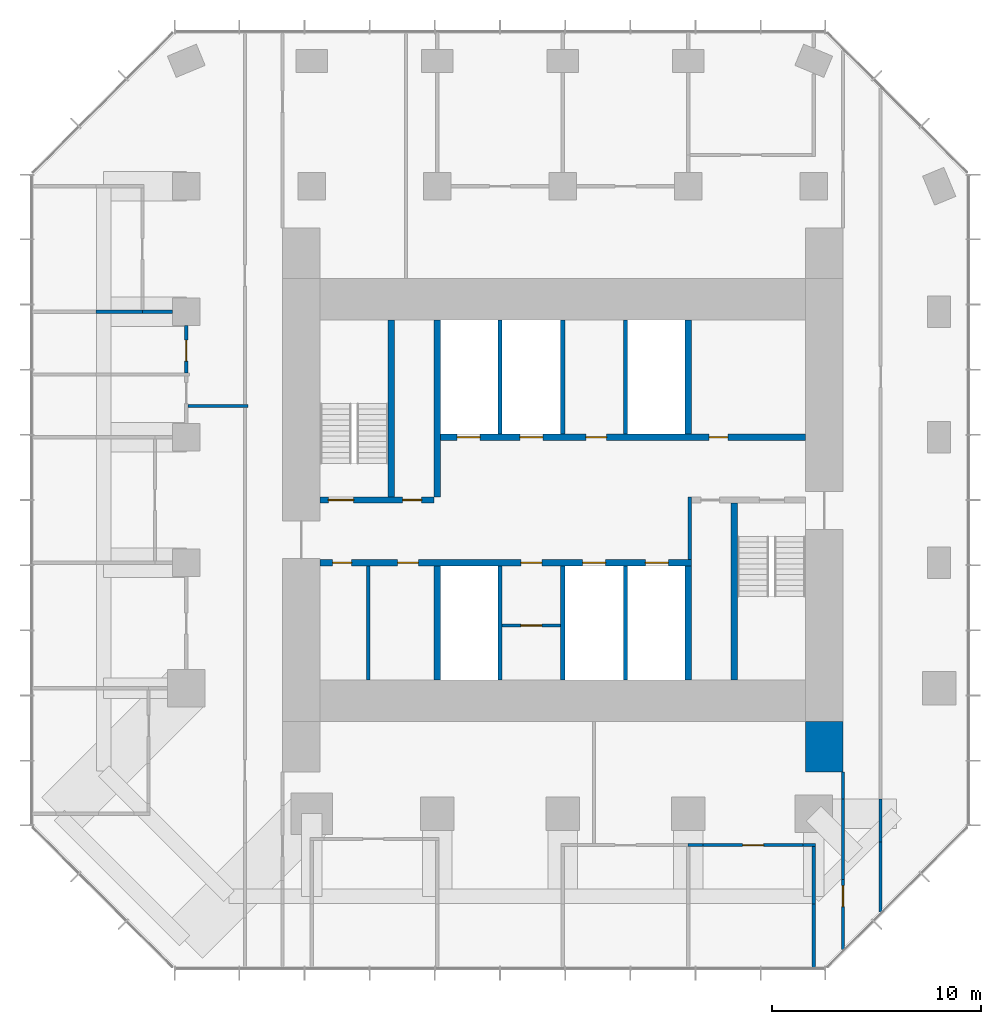
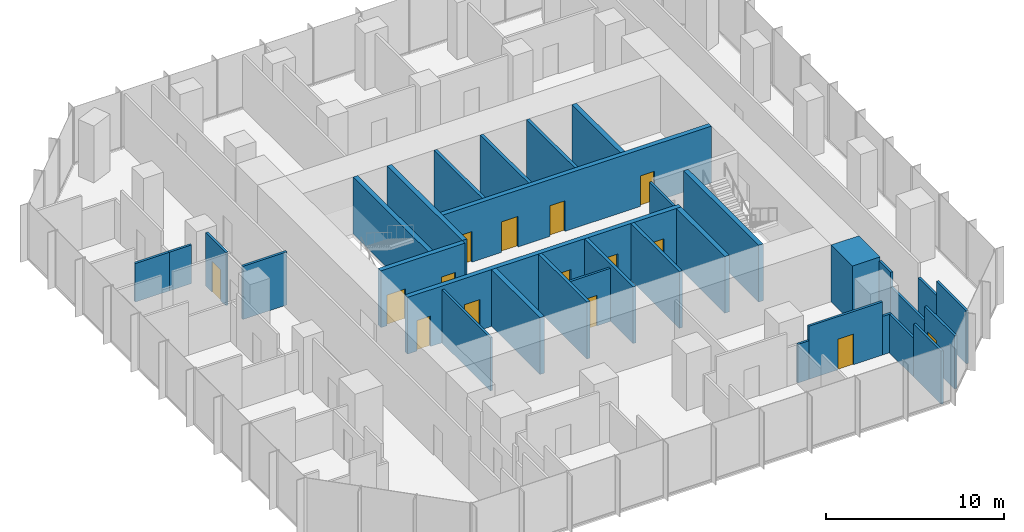
# One storey, part 9 of 11: 33 walls, 15 doors, 15 openings.
"""IFC4 building model written with IfcOpenShell, lengths in metres."""

import ifcopenshell
import ifcopenshell.guid

model = None  # the IFC model being written
_history = None  # IfcOwnerHistory: only IFC2X3 demands one
_inside = {}  # id of a spatial element -> (the spatial element, [elements in it])
_under = {}  # id of a project, library or spatial element -> (it, [spatial elements below it])
_declared = {}  # id of a project -> (the project, [libraries it declares])
_typed = {}  # id of a type object -> (the type object, [elements of that type])
_made_of = {}  # id of a material, layer set ... -> (it, [elements and type objects made of it])


def new_model(schema):
    """Start an empty IFC model of exactly this schema.

    Asked for "IFC4X3", IfcOpenShell would pick the latest addendum, in which some entities
    have other attributes; the version numbers below select the first issue.
    IFC2X3 requires an IfcOwnerHistory on every rooted entity: one is made here for all.
    """
    global model, _history
    if schema == "IFC4X3":
        model = ifcopenshell.file(schema_version=(4, 3, 0, 0))
    else:
        model = ifcopenshell.file(schema=schema)
    _inside.clear()
    _under.clear()
    _declared.clear()
    _typed.clear()
    _made_of.clear()
    _history = None
    if model.schema == "IFC2X3":
        org = make("IfcOrganization", Name="unknown")
        user = make(
            "IfcPersonAndOrganization",
            ThePerson=make("IfcPerson", FamilyName="unknown"),
            TheOrganization=org,
        )
        app = make(
            "IfcApplication",
            ApplicationDeveloper=org,
            Version="unknown",
            ApplicationFullName="unknown",
            ApplicationIdentifier="unknown",
        )
        _history = make(
            "IfcOwnerHistory",
            OwningUser=user,
            OwningApplication=app,
            ChangeAction="ADDED",
            CreationDate=0,
        )
    return model


def make(cls, **values):
    """One entity of the class cls with the attributes given. An attribute that is None is left unset."""
    return model.create_entity(
        cls, **{name: value for name, value in values.items() if value is not None}
    )


def rooted(cls, **values):
    """An entity with a GlobalId (a new one), such as an element, a storey or a relation."""
    return make(cls, GlobalId=ifcopenshell.guid.new(), OwnerHistory=_history, **values)


def si_unit(unit_type, name, prefix=None):
    """IfcSIUnit, for example si_unit("LENGTHUNIT", "METRE", prefix="MILLI")."""
    return make("IfcSIUnit", UnitType=unit_type, Prefix=prefix, Name=name)


def assignment(units):
    """IfcUnitAssignment: the units of a project."""
    return None if units is None else make("IfcUnitAssignment", Units=units)


def point(xyz):
    """IfcCartesianPoint."""
    return None if xyz is None else make("IfcCartesianPoint", Coordinates=xyz)


def direction(xyz):
    """IfcDirection."""
    return None if xyz is None else make("IfcDirection", DirectionRatios=xyz)


def frame(location, z_axis=None, x_axis=None):
    """IfcAxis2Placement3D, a coordinate frame: its origin and axes. An axis left out is left unset."""
    return make(
        "IfcAxis2Placement3D",
        Location=point(location),
        Axis=direction(z_axis),
        RefDirection=direction(x_axis),
    )


def frame_2d(location, x_axis=None):
    """IfcAxis2Placement2D, a coordinate frame in the plane: its origin and x axis."""
    return make(
        "IfcAxis2Placement2D", Location=point(location), RefDirection=direction(x_axis)
    )


def origin():
    """The frame at (0, 0, 0) with its axes left unset."""
    return frame((0.0, 0.0, 0.0))


def place(relative_to, where):
    """IfcLocalPlacement: puts the frame where relative to a parent placement (None: the world)."""
    return make(
        "IfcLocalPlacement", PlacementRelTo=relative_to, RelativePlacement=where
    )


def context(
    kind, dimensions, precision=None, world=None, true_north=None, identifier=None
):
    """IfcGeometricRepresentationContext, for example the 3D "Model" context."""
    return make(
        "IfcGeometricRepresentationContext",
        ContextIdentifier=identifier,
        ContextType=kind,
        CoordinateSpaceDimension=dimensions,
        Precision=precision,
        WorldCoordinateSystem=world,
        TrueNorth=true_north,
    )


def subcontext(parent, identifier, kind, view, scale=None):
    """IfcGeometricRepresentationSubContext, for example "Body" below "Model"."""
    return make(
        "IfcGeometricRepresentationSubContext",
        ContextIdentifier=identifier,
        ContextType=kind,
        ParentContext=parent,
        TargetScale=scale,
        TargetView=view,
    )


def project(units=None, contexts=None):
    """IfcProject with its units and contexts."""
    return rooted(
        "IfcProject",
        Name="project",
        RepresentationContexts=contexts,
        UnitsInContext=assignment(units),
    )


def spatial(cls, under=None, at=None, **own):
    """A site, building, storey or space (cls), placed at a placement, below another one or the project."""
    s = rooted(cls, ObjectPlacement=at, **own)
    if under is not None:
        _under.setdefault(under.id(), (under, []))[1].append(s)
    return s


def profile(cls, at=None, kind="AREA", **sizes):
    """A parametric profile (cls). Its sizes go by their IFC names, for example OverallWidth=200.0."""
    return make(cls, ProfileType=kind, Position=at, **sizes)


def rectangle(**sizes):
    """IfcRectangleProfileDef."""
    return profile("IfcRectangleProfileDef", **sizes)


def extrude(swept, where, along, depth):
    """IfcExtrudedAreaSolid: the profile swept, set in the frame where, extruded along a direction by depth."""
    return make(
        "IfcExtrudedAreaSolid",
        SweptArea=swept,
        Position=where,
        ExtrudedDirection=direction(along),
        Depth=depth,
    )


def shape(context_of_items, identifier, shape_type, items):
    """IfcShapeRepresentation: the items that make up one representation, for example the "Body"."""
    return make(
        "IfcShapeRepresentation",
        ContextOfItems=context_of_items,
        RepresentationIdentifier=identifier,
        RepresentationType=shape_type,
        Items=items,
    )


def material(Name=None, Category=None):
    """IfcMaterial."""
    return make("IfcMaterial", Name=Name, Category=Category)


def layer(
    of_material, thickness, ventilated=None, Name=None, Category=None, Priority=None
):
    """IfcMaterialLayer: one layer of a wall or slab, of a material (None: an air gap)."""
    return make(
        "IfcMaterialLayer",
        Material=of_material,
        LayerThickness=thickness,
        IsVentilated=ventilated,
        Name=Name,
        Category=Category,
        Priority=Priority,
    )


def layer_set(layers, Name=None):
    """IfcMaterialLayerSet."""
    return make("IfcMaterialLayerSet", MaterialLayers=layers, LayerSetName=Name)


def made_of(thing, what):
    """Note that an element or type object is made of a material, layer set ...; save() writes the relation."""
    if what is not None:
        _made_of.setdefault(what.id(), (what, []))[1].append(thing)
    return thing


def type_object(cls, material=None, **own):
    """A type object (cls), such as IfcWallType, which elements share."""
    return made_of(rooted(cls, **own), material)


def element(
    cls,
    number,
    at=None,
    inside=None,
    cuts=None,
    type_object=None,
    material=None,
    context=None,
    identifier="Body",
    shape_type=None,
    held_by="IfcProductDefinitionShape",
    body=None,
    shapes=None,
    **own,
):
    """One element of the class cls, such as IfcWall. Its Tag is "e" and its number.

    at: its placement. inside: the storey or other place that contains it. cuts: it is an
    opening in that element (IfcRelVoidsElement). A single representation is given by context,
    identifier, shape_type and body (its items); several are given by shapes. held_by: the class
    of the entity that holds the representations. save() writes the other relations.
    """
    e = rooted(cls, Tag="e%d" % number, ObjectPlacement=at, **own)
    if body is not None:
        shapes = [shape(context, identifier, shape_type, body)]
    if shapes is not None:
        e.Representation = make(held_by, Representations=shapes)
    if inside is not None:
        _inside.setdefault(inside.id(), (inside, []))[1].append(e)
    if cuts is not None:
        rooted(
            "IfcRelVoidsElement", RelatingBuildingElement=cuts, RelatedOpeningElement=e
        )
    if type_object is not None:
        _typed.setdefault(type_object.id(), (type_object, []))[1].append(e)
    return made_of(e, material)


def fill(opening, filler):
    """IfcRelFillsElement: the door or window that sits in an opening."""
    return rooted(
        "IfcRelFillsElement",
        RelatingOpeningElement=opening,
        RelatedBuildingElement=filler,
    )


def aggregate(whole, parts):
    """IfcRelAggregates: a whole, such as a stair, and the parts it consists of."""
    return rooted("IfcRelAggregates", RelatingObject=whole, RelatedObjects=parts)


def save(model, path):
    """Write the relations noted so far, then the file.

    IfcRelAggregates (storeys below a building ...), IfcRelContainedInSpatialStructure (elements
    in a storey), IfcRelDefinesByType, IfcRelAssociatesMaterial and IfcRelDeclares: one each for
    every whole, place, type object, material and project.
    """
    for whole, parts in _under.values():
        aggregate(whole, parts)
    for where, things in _inside.values():
        rooted(
            "IfcRelContainedInSpatialStructure",
            RelatedElements=things,
            RelatingStructure=where,
        )
    for kind, things in _typed.values():
        rooted("IfcRelDefinesByType", RelatedObjects=things, RelatingType=kind)
    for what, things in _made_of.values():
        rooted("IfcRelAssociatesMaterial", RelatedObjects=things, RelatingMaterial=what)
    for by, libraries in _declared.values():
        rooted("IfcRelDeclares", RelatingContext=by, RelatedDefinitions=libraries)
    model.write(path)


model = new_model("IFC4")

# Units and contexts
model_context = context("Model", 3, precision=1e-05, world=origin(), true_north=direction((0.0, 1.0)))
body_context = subcontext(model_context, "Body", "Model", "MODEL_VIEW")
ifc_project = project(units=[si_unit("LENGTHUNIT", "METRE"), si_unit("AREAUNIT", "SQUARE_METRE"), si_unit("VOLUMEUNIT", "CUBIC_METRE"), si_unit("PLANEANGLEUNIT", "RADIAN"), si_unit("MASSUNIT", "GRAM", prefix="KILO")], contexts=[model_context])

# Site, building, storey
site_placement = place(None, origin())
site = spatial("IfcSite", under=ifc_project, at=site_placement, CompositionType="ELEMENT")
building_placement = place(site_placement, origin())
building = spatial("IfcBuilding", under=site, at=building_placement, Name="Highveld Stack Headquarters", CompositionType="ELEMENT")
storey_placement = place(building_placement, frame((0.0, 0.0, 220.10009765625)))
storey = spatial("IfcBuildingStorey", under=building, at=storey_placement, Name="L54", CompositionType="ELEMENT", Elevation=220.10009765625)

# Wall, openings, doors
ifc_material_1 = material(Name="Concrete C60/75", Category="concrete")
ifc_layer_1 = layer(ifc_material_1, 0.300048828125)
ifc_layer_set_1 = layer_set([ifc_layer_1], Name="Concrete C60/75")
wall_type_1 = type_object("IfcWallType", Name="CORE WALL 300 C60/75", PredefinedType="SHEAR", material=ifc_layer_set_1)
wall_1_placement = place(storey_placement, frame((-5.60009765625, 0.0, 0.0), z_axis=(0.0, 0.0, 1.0), x_axis=(1.0, 0.0, 0.0)))
wall_1 = element("IfcWall", 1, at=wall_1_placement, inside=storey, type_object=wall_type_1, Name="Core wall I-Y0 L54", PredefinedType="SHEAR", context=body_context, shape_type="SweptSolid", body=[
    extrude(rectangle(XDim=17.75, YDim=0.300048828125, at=frame_2d((8.875, 0.0))), origin(), (0.0, 0.0, 1.0), 3.89990234375),
])
opening_1_placement = place(wall_1_placement, frame((0.60009765625, 0.0, 0.0)))
opening_1 = element("IfcOpeningElement", 2, at=opening_1_placement, cuts=wall_1, Name="Opening L54-07", PredefinedType="OPENING", context=body_context, shape_type="SweptSolid", body=[
    extrude(rectangle(XDim=0.89990234375, YDim=2.10009765625, at=frame_2d((0.449951171875, 1.050048828125))), frame((0.0, 0.159912109375, 0.0), z_axis=(0.0, -1.0, 0.0), x_axis=(1.0, 0.0, 0.0)), (0.0, 0.0, 1.0), 0.320068359375),
])
opening_2_placement = place(wall_1_placement, frame((3.699951171875, 0.0, 0.0)))
opening_2 = element("IfcOpeningElement", 3, at=opening_2_placement, cuts=wall_1, Name="Opening L54-08", PredefinedType="OPENING", context=body_context, shape_type="SweptSolid", body=[
    extrude(rectangle(XDim=1.0, YDim=2.10009765625, at=frame_2d((0.5, 1.050048828125))), frame((0.0, 0.159912109375, 0.0), z_axis=(0.0, -1.0, 0.0), x_axis=(1.0, 0.0, 0.0)), (0.0, 0.0, 1.0), 0.320068359375),
])
opening_3_placement = place(wall_1_placement, frame((9.60009765625, 0.0, 0.0)))
opening_3 = element("IfcOpeningElement", 4, at=opening_3_placement, cuts=wall_1, Name="Opening L54-12", PredefinedType="OPENING", context=body_context, shape_type="SweptSolid", body=[
    extrude(rectangle(XDim=1.0, YDim=2.10009765625, at=frame_2d((0.5, 1.050048828125))), frame((0.0, 0.159912109375, 0.0), z_axis=(0.0, -1.0, 0.0), x_axis=(1.0, 0.0, 0.0)), (0.0, 0.0, 1.0), 0.320068359375),
])
opening_4_placement = place(wall_1_placement, frame((12.550048828125, 0.0, 0.0)))
opening_4 = element("IfcOpeningElement", 5, at=opening_4_placement, cuts=wall_1, Name="Opening LD", PredefinedType="OPENING", context=body_context, shape_type="SweptSolid", body=[
    extrude(rectangle(XDim=1.10009765625, YDim=2.10009765625, at=frame_2d((0.550048828125, 1.050048828125))), frame((0.0, 0.159912109375, 0.0), z_axis=(0.0, -1.0, 0.0), x_axis=(1.0, 0.0, 0.0)), (0.0, 0.0, 1.0), 0.320068359375),
])
opening_5_placement = place(wall_1_placement, frame((15.550048828125, 0.0, 0.0)))
opening_5 = element("IfcOpeningElement", 6, at=opening_5_placement, cuts=wall_1, Name="Opening LD", PredefinedType="OPENING", context=body_context, shape_type="SweptSolid", body=[
    extrude(rectangle(XDim=1.10009765625, YDim=2.10009765625, at=frame_2d((0.550048828125, 1.050048828125))), frame((0.0, 0.159912109375, 0.0), z_axis=(0.0, -1.0, 0.0), x_axis=(1.0, 0.0, 0.0)), (0.0, 0.0, 1.0), 0.320068359375),
])
ifc_material_2 = material(Name="Timber door, painted", Category="wood")
door_type_1 = type_object("IfcDoorType", Name="ACCESSIBLE WC DOOR D2 1000x2100", OperationType="SINGLE_SWING_RIGHT", PredefinedType="DOOR", material=ifc_material_2)
door_1_placement = place(opening_2_placement, origin())
door_1 = element("IfcDoor", 7, at=door_1_placement, inside=storey, type_object=door_type_1, Name="Accessible WC door L54", OperationType="SINGLE_SWING_LEFT", OverallHeight=2.10009765625, OverallWidth=1.0, PredefinedType="DOOR", context=body_context, shape_type="SweptSolid", body=[
    extrude(rectangle(XDim=1.0, YDim=2.10009765625, at=frame_2d((0.5, 1.050048828125))), frame((0.0, 0.02490234375, 0.0), z_axis=(0.0, -1.0, 0.0), x_axis=(1.0, 0.0, 0.0)), (0.0, 0.0, 1.0), 0.050048828125),
])
fill(opening_2, door_1)
ifc_material_3 = material(Name="Steel fire door", Category="steel")
door_type_2 = type_object("IfcDoorType", Name="CORE ROOM FIRE DOOR D14 1000x2100", OperationType="SINGLE_SWING_LEFT", PredefinedType="DOOR", material=ifc_material_3)
door_2_placement = place(opening_3_placement, origin())
door_2 = element("IfcDoor", 8, at=door_2_placement, inside=storey, type_object=door_type_2, Name="Capped B 1 door L54", OperationType="SINGLE_SWING_RIGHT", OverallHeight=2.10009765625, OverallWidth=1.0, PredefinedType="DOOR", context=body_context, shape_type="SweptSolid", body=[
    extrude(rectangle(XDim=1.0, YDim=2.10009765625, at=frame_2d((0.5, 1.050048828125))), frame((0.0, 0.02490234375, 0.0), z_axis=(0.0, -1.0, 0.0), x_axis=(1.0, 0.0, 0.0)), (0.0, 0.0, 1.0), 0.050048828125),
])
fill(opening_3, door_2)
ifc_material_4 = material(Name="Stainless steel lift landing door", Category="steel")
door_type_3 = type_object("IfcDoorType", Name="LIFT LANDING DOOR LD 1100x2100", OperationType="DOUBLE_DOOR_SLIDING", PredefinedType="USERDEFINED", material=ifc_material_4)
door_3_placement = place(opening_4_placement, origin())
door_3 = element("IfcDoor", 9, at=door_3_placement, inside=storey, type_object=door_type_3, Name="Lift landing door C1 L54", ObjectType="LIFT LANDING DOOR", OperationType="DOUBLE_DOOR_SLIDING", OverallHeight=2.10009765625, OverallWidth=1.10009765625, PredefinedType="USERDEFINED", context=body_context, shape_type="SweptSolid", body=[
    extrude(rectangle(XDim=1.10009765625, YDim=2.10009765625, at=frame_2d((0.550048828125, 1.050048828125))), frame((0.0, 0.02490234375, 0.0), z_axis=(0.0, -1.0, 0.0), x_axis=(1.0, 0.0, 0.0)), (0.0, 0.0, 1.0), 0.050048828125),
])
fill(opening_4, door_3)
door_4_placement = place(opening_5_placement, origin())
door_4 = element("IfcDoor", 10, at=door_4_placement, inside=storey, type_object=door_type_3, Name="Lift landing door C2 L54", ObjectType="LIFT LANDING DOOR", OperationType="DOUBLE_DOOR_SLIDING", OverallHeight=2.10009765625, OverallWidth=1.10009765625, PredefinedType="USERDEFINED", context=body_context, shape_type="SweptSolid", body=[
    extrude(rectangle(XDim=1.10009765625, YDim=2.10009765625, at=frame_2d((0.550048828125, 1.050048828125))), frame((0.0, 0.02490234375, 0.0), z_axis=(0.0, -1.0, 0.0), x_axis=(1.0, 0.0, 0.0)), (0.0, 0.0, 1.0), 0.050048828125),
])
fill(opening_5, door_4)
ifc_material_5 = material(Name="Timber door, painted", Category="wood")
door_type_4 = type_object("IfcDoorType", Name="WC DOOR D1 900x2100", OperationType="SINGLE_SWING_LEFT", PredefinedType="DOOR", material=ifc_material_5)
door_5_placement = place(opening_1_placement, origin())
door_5 = element("IfcDoor", 11, at=door_5_placement, inside=storey, type_object=door_type_4, Name="Female WC door L54", OperationType="SINGLE_SWING_LEFT", OverallHeight=2.10009765625, OverallWidth=0.89990234375, PredefinedType="DOOR", context=body_context, shape_type="SweptSolid", body=[
    extrude(rectangle(XDim=0.89990234375, YDim=2.10009765625, at=frame_2d((0.449951171875, 1.050048828125))), frame((0.0, 0.02490234375, 0.0), z_axis=(0.0, -1.0, 0.0), x_axis=(1.0, 0.0, 0.0)), (0.0, 0.0, 1.0), 0.050048828125),
])
fill(opening_1, door_5)

wall_2_placement = place(storey_placement, frame((-5.60009765625, 3.0, 0.0), z_axis=(0.0, 0.0, 1.0), x_axis=(1.0, 0.0, 0.0)))
wall_2 = element("IfcWall", 12, at=wall_2_placement, inside=storey, type_object=wall_type_1, Name="Core wall I-Y3W L54", PredefinedType="SHEAR", context=body_context, shape_type="SweptSolid", body=[
    extrude(rectangle(XDim=5.4501953125, YDim=0.300048828125, at=frame_2d((2.72509765625, 0.0))), origin(), (0.0, 0.0, 1.0), 3.89990234375),
])
opening_6_placement = place(wall_2_placement, frame((0.39990234375, 0.0, 0.0)))
opening_6 = element("IfcOpeningElement", 13, at=opening_6_placement, cuts=wall_2, Name="Opening L54-03", PredefinedType="OPENING", context=body_context, shape_type="SweptSolid", body=[
    extrude(rectangle(XDim=1.199951171875, YDim=2.10009765625, at=frame_2d((0.60009765625, 1.050048828125))), frame((0.0, 0.159912109375, 0.0), z_axis=(0.0, -1.0, 0.0), x_axis=(1.0, 0.0, 0.0)), (0.0, 0.0, 1.0), 0.320068359375),
])
opening_7_placement = place(wall_2_placement, frame((3.949951171875, 0.0, 0.0)))
opening_7 = element("IfcOpeningElement", 14, at=opening_7_placement, cuts=wall_2, Name="Opening L54-04", PredefinedType="OPENING", context=body_context, shape_type="SweptSolid", body=[
    extrude(rectangle(XDim=0.89990234375, YDim=2.10009765625, at=frame_2d((0.449951171875, 1.050048828125))), frame((0.0, 0.159912109375, 0.0), z_axis=(0.0, -1.0, 0.0), x_axis=(1.0, 0.0, 0.0)), (0.0, 0.0, 1.0), 0.320068359375),
])
ifc_material_6 = material(Name="Steel fire door", Category="steel")
door_type_5 = type_object("IfcDoorType", Name="RISER ACCESS DOOR D5 900x2100", OperationType="SINGLE_SWING_LEFT", PredefinedType="DOOR", material=ifc_material_6)
door_6_placement = place(opening_7_placement, origin())
door_6 = element("IfcDoor", 15, at=door_6_placement, inside=storey, type_object=door_type_5, Name="Riser R1 door L54", OperationType="SINGLE_SWING_RIGHT", OverallHeight=2.10009765625, OverallWidth=0.89990234375, PredefinedType="DOOR", context=body_context, shape_type="SweptSolid", body=[
    extrude(rectangle(XDim=0.89990234375, YDim=2.10009765625, at=frame_2d((0.449951171875, 1.050048828125))), frame((0.0, 0.02490234375, 0.0), z_axis=(0.0, -1.0, 0.0), x_axis=(1.0, 0.0, 0.0)), (0.0, 0.0, 1.0), 0.050048828125),
])
fill(opening_7, door_6)
ifc_material_7 = material(Name="Steel fire door", Category="steel")
door_type_6 = type_object("IfcDoorType", Name="STAIR FIRE DOOR D3 1200x2100", OperationType="SINGLE_SWING_LEFT", PredefinedType="DOOR", material=ifc_material_7)
door_7_placement = place(opening_6_placement, origin())
door_7 = element("IfcDoor", 16, at=door_7_placement, inside=storey, type_object=door_type_6, Name="Stair S1 door L54", OperationType="SINGLE_SWING_LEFT", OverallHeight=2.10009765625, OverallWidth=1.199951171875, PredefinedType="DOOR", context=body_context, shape_type="SweptSolid", body=[
    extrude(rectangle(XDim=1.199951171875, YDim=2.10009765625, at=frame_2d((0.60009765625, 1.050048828125))), frame((0.0, 0.02490234375, 0.0), z_axis=(0.0, -1.0, 0.0), x_axis=(1.0, 0.0, 0.0)), (0.0, 0.0, 1.0), 0.050048828125),
])
fill(opening_6, door_7)

wall_3_placement = place(storey_placement, frame((-0.14990234375, 6.0, 0.0), z_axis=(0.0, 0.0, 1.0), x_axis=(1.0, 0.0, 0.0)))
wall_3 = element("IfcWall", 17, at=wall_3_placement, inside=storey, type_object=wall_type_1, Name="Core wall I-Y6 L54", PredefinedType="SHEAR", context=body_context, shape_type="SweptSolid", body=[
    extrude(rectangle(XDim=17.75, YDim=0.300048828125, at=frame_2d((8.875, 0.0))), origin(), (0.0, 0.0, 1.0), 3.89990234375),
])
opening_8_placement = place(wall_3_placement, frame((13.14990234375, 0.0, 0.0)))
opening_8 = element("IfcOpeningElement", 18, at=opening_8_placement, cuts=wall_3, Name="Opening L54-09", PredefinedType="OPENING", context=body_context, shape_type="SweptSolid", body=[
    extrude(rectangle(XDim=0.89990234375, YDim=2.10009765625, at=frame_2d((0.449951171875, 1.050048828125))), frame((0.0, 0.159912109375, 0.0), z_axis=(0.0, -1.0, 0.0), x_axis=(1.0, 0.0, 0.0)), (0.0, 0.0, 1.0), 0.320068359375),
])
opening_9_placement = place(wall_3_placement, frame((7.25, 0.0, 0.0)))
opening_9 = element("IfcOpeningElement", 19, at=opening_9_placement, cuts=wall_3, Name="Opening L54-10", PredefinedType="OPENING", context=body_context, shape_type="SweptSolid", body=[
    extrude(rectangle(XDim=1.0, YDim=2.10009765625, at=frame_2d((0.5, 1.050048828125))), frame((0.0, 0.159912109375, 0.0), z_axis=(0.0, -1.0, 0.0), x_axis=(1.0, 0.0, 0.0)), (0.0, 0.0, 1.0), 0.320068359375),
])
opening_10_placement = place(wall_3_placement, frame((1.10009765625, 0.0, 0.0)))
opening_10 = element("IfcOpeningElement", 20, at=opening_10_placement, cuts=wall_3, Name="Opening LD", PredefinedType="OPENING", context=body_context, shape_type="SweptSolid", body=[
    extrude(rectangle(XDim=1.10009765625, YDim=2.10009765625, at=frame_2d((0.550048828125, 1.050048828125))), frame((0.0, 0.159912109375, 0.0), z_axis=(0.0, -1.0, 0.0), x_axis=(1.0, 0.0, 0.0)), (0.0, 0.0, 1.0), 0.320068359375),
])
opening_11_placement = place(wall_3_placement, frame((4.10009765625, 0.0, 0.0)))
opening_11 = element("IfcOpeningElement", 21, at=opening_11_placement, cuts=wall_3, Name="Opening LD", PredefinedType="OPENING", context=body_context, shape_type="SweptSolid", body=[
    extrude(rectangle(XDim=1.10009765625, YDim=2.10009765625, at=frame_2d((0.550048828125, 1.050048828125))), frame((0.0, 0.159912109375, 0.0), z_axis=(0.0, -1.0, 0.0), x_axis=(1.0, 0.0, 0.0)), (0.0, 0.0, 1.0), 0.320068359375),
])
door_8_placement = place(opening_9_placement, origin())
door_8 = element("IfcDoor", 22, at=door_8_placement, inside=storey, type_object=door_type_2, Name="Capped A 1 door L54", OperationType="SINGLE_SWING_LEFT", OverallHeight=2.10009765625, OverallWidth=1.0, PredefinedType="DOOR", context=body_context, shape_type="SweptSolid", body=[
    extrude(rectangle(XDim=1.0, YDim=2.10009765625, at=frame_2d((0.5, 1.050048828125))), frame((0.0, 0.02490234375, 0.0), z_axis=(0.0, -1.0, 0.0), x_axis=(1.0, 0.0, 0.0)), (0.0, 0.0, 1.0), 0.050048828125),
])
fill(opening_9, door_8)
door_9_placement = place(opening_10_placement, origin())
door_9 = element("IfcDoor", 23, at=door_9_placement, inside=storey, type_object=door_type_3, Name="Lift landing door FF1 L54", ObjectType="LIFT LANDING DOOR", OperationType="DOUBLE_DOOR_SLIDING", OverallHeight=2.10009765625, OverallWidth=1.10009765625, PredefinedType="USERDEFINED", context=body_context, shape_type="SweptSolid", body=[
    extrude(rectangle(XDim=1.10009765625, YDim=2.10009765625, at=frame_2d((0.550048828125, 1.050048828125))), frame((0.0, 0.02490234375, 0.0), z_axis=(0.0, -1.0, 0.0), x_axis=(1.0, 0.0, 0.0)), (0.0, 0.0, 1.0), 0.050048828125),
])
fill(opening_10, door_9)
door_10_placement = place(opening_11_placement, origin())
door_10 = element("IfcDoor", 24, at=door_10_placement, inside=storey, type_object=door_type_3, Name="Lift landing door FF2 L54", ObjectType="LIFT LANDING DOOR", OperationType="DOUBLE_DOOR_SLIDING", OverallHeight=2.10009765625, OverallWidth=1.10009765625, PredefinedType="USERDEFINED", context=body_context, shape_type="SweptSolid", body=[
    extrude(rectangle(XDim=1.10009765625, YDim=2.10009765625, at=frame_2d((0.550048828125, 1.050048828125))), frame((0.0, 0.02490234375, 0.0), z_axis=(0.0, -1.0, 0.0), x_axis=(1.0, 0.0, 0.0)), (0.0, 0.0, 1.0), 0.050048828125),
])
fill(opening_11, door_10)
door_11_placement = place(opening_8_placement, origin())
door_11 = element("IfcDoor", 25, at=door_11_placement, inside=storey, type_object=door_type_4, Name="Male WC door L54", OperationType="SINGLE_SWING_RIGHT", OverallHeight=2.10009765625, OverallWidth=0.89990234375, PredefinedType="DOOR", context=body_context, shape_type="SweptSolid", body=[
    extrude(rectangle(XDim=0.89990234375, YDim=2.10009765625, at=frame_2d((0.449951171875, 1.050048828125))), frame((0.0, 0.02490234375, 0.0), z_axis=(0.0, -1.0, 0.0), x_axis=(1.0, 0.0, 0.0)), (0.0, 0.0, 1.0), 0.050048828125),
])
fill(opening_8, door_11)

# Walls
wall_4_placement = place(storey_placement, frame((0.0, -5.60009765625, 0.0), z_axis=(0.0, 0.0, 1.0), x_axis=(0.0, 1.0, 0.0)))
element("IfcWall", 26, at=wall_4_placement, inside=storey, type_object=wall_type_1, Name="Core wall I-X0S L54", PredefinedType="SHEAR", context=body_context, shape_type="SweptSolid", body=[
    extrude(rectangle(XDim=5.4501953125, YDim=0.300048828125, at=frame_2d((2.72509765625, 0.0))), origin(), (0.0, 0.0, 1.0), 3.89990234375),
])
wall_5_placement = place(storey_placement, frame((0.0, 3.14990234375, 0.0), z_axis=(0.0, 0.0, 1.0), x_axis=(0.0, 1.0, 0.0)))
element("IfcWall", 27, at=wall_5_placement, inside=storey, type_object=wall_type_1, Name="Core wall I-X0N L54", PredefinedType="SHEAR", context=body_context, shape_type="SweptSolid", body=[
    extrude(rectangle(XDim=8.4501953125, YDim=0.300048828125, at=frame_2d((4.22509765625, 0.0))), origin(), (0.0, 0.0, 1.0), 3.89990234375),
])
for number, where, z_axis, x_axis, name in (
    (28, (12.0, -5.60009765625, 0.0), (0.0, 0.0, 1.0), (0.0, 1.0, 0.0), "Core wall I-X12S L54"),
    (29, (12.0, 6.14990234375, 0.0), (0.0, 0.0, 1.0), (0.0, 1.0, 0.0), "Core wall I-X12N L54"),
):
    element("IfcWall", number, at=place(storey_placement, frame(where, z_axis=z_axis, x_axis=x_axis)), inside=storey, type_object=wall_type_1, Name=name, PredefinedType="SHEAR", context=body_context, shape_type="SweptSolid", body=[
        extrude(rectangle(XDim=5.4501953125, YDim=0.300048828125, at=frame_2d((2.72509765625, 0.0))), origin(), (0.0, 0.0, 1.0), 3.89990234375),
    ])
for number, where, z_axis, x_axis, name in (
    (30, (-2.199951171875, 3.14990234375, 0.0), (0.0, 0.0, 1.0), (0.0, 1.0, 0.0), "Core wall I-RW L54"),
    (31, (14.199951171875, -5.60009765625, 0.0), (0.0, 0.0, 1.0), (0.0, 1.0, 0.0), "Core wall I-RE L54"),
):
    element("IfcWall", number, at=place(storey_placement, frame(where, z_axis=z_axis, x_axis=x_axis)), inside=storey, type_object=wall_type_1, Name=name, PredefinedType="SHEAR", context=body_context, shape_type="SweptSolid", body=[
        extrude(rectangle(XDim=8.4501953125, YDim=0.300048828125, at=frame_2d((4.22509765625, 0.0))), origin(), (0.0, 0.0, 1.0), 3.89990234375),
    ])
ifc_material_8 = material(Name="Concrete C60/75", Category="concrete")
ifc_layer_2 = layer(ifc_material_8, 1.800048828125)
ifc_layer_set_2 = layer_set([ifc_layer_2], Name="Concrete C60/75")
wall_type_2 = type_object("IfcWallType", Name="CORE WING WALL 1800 C60/75", PredefinedType="SHEAR", material=ifc_layer_set_2)
wall_6_placement = place(storey_placement, frame((18.5, -10.0, 0.0), z_axis=(0.0, 0.0, 1.0), x_axis=(0.0, 1.0, 0.0)))
element("IfcWall", 32, at=wall_6_placement, inside=storey, type_object=wall_type_2, Name="Core wing wall ES L54", PredefinedType="SHEAR", context=body_context, shape_type="SweptSolid", body=[
    extrude(rectangle(XDim=2.39990234375, YDim=1.800048828125, at=frame_2d((1.199951171875, 0.0))), origin(), (0.0, 0.0, 1.0), 3.89990234375),
])

# Wall, opening, door
ifc_material_9 = material(Name="Concrete blockwork, plastered", Category="masonry")
ifc_layer_3 = layer(ifc_material_9, 0.14990234375)
ifc_layer_set_3 = layer_set([ifc_layer_3], Name="Concrete blockwork, plastered")
wall_type_3 = type_object("IfcWallType", Name="FIRE PARTITION 150 BLOCKWORK", PredefinedType="PARTITIONING", material=ifc_layer_set_3)
wall_7_placement = place(storey_placement, frame((3.10009765625, -3.0, 0.0), z_axis=(0.0, 0.0, 1.0), x_axis=(1.0, 0.0, 0.0)))
wall_7 = element("IfcWall", 33, at=wall_7_placement, inside=storey, type_object=wall_type_3, Name="Core room partition L54", PredefinedType="PARTITIONING", context=body_context, shape_type="SweptSolid", body=[
    extrude(rectangle(XDim=2.7998046875, YDim=0.14990234375, at=frame_2d((1.39990234375, 0.0))), origin(), (0.0, 0.0, 1.0), 3.64990234375),
])
opening_12_placement = place(wall_7_placement, frame((0.89990234375, 0.0, 0.0)))
opening_12 = element("IfcOpeningElement", 34, at=opening_12_placement, cuts=wall_7, Name="Opening L54-11", PredefinedType="OPENING", context=body_context, shape_type="SweptSolid", body=[
    extrude(rectangle(XDim=1.0, YDim=2.10009765625, at=frame_2d((0.5, 1.050048828125))), frame((0.0, 0.0849609375, 0.0), z_axis=(0.0, -1.0, 0.0), x_axis=(1.0, 0.0, 0.0)), (0.0, 0.0, 1.0), 0.169921875),
])
door_12_placement = place(opening_12_placement, origin())
door_12 = element("IfcDoor", 35, at=door_12_placement, inside=storey, type_object=door_type_2, Name="Capped B 2 door L54", OperationType="SINGLE_SWING_LEFT", OverallHeight=2.10009765625, OverallWidth=1.0, PredefinedType="DOOR", context=body_context, shape_type="SweptSolid", body=[
    extrude(rectangle(XDim=1.0, YDim=2.10009765625, at=frame_2d((0.5, 1.050048828125))), frame((0.0, 0.02490234375, 0.0), z_axis=(0.0, -1.0, 0.0), x_axis=(1.0, 0.0, 0.0)), (0.0, 0.0, 1.0), 0.050048828125),
])
fill(opening_12, door_12)

# Walls
wall_8_placement = place(storey_placement, frame((12.074951171875, 0.14990234375, 0.0), z_axis=(0.0, 0.0, 1.0), x_axis=(0.0, 1.0, 0.0)))
element("IfcWall", 36, at=wall_8_placement, inside=storey, type_object=wall_type_3, Name="Riser R2 enclosure L54", PredefinedType="PARTITIONING", context=body_context, shape_type="SweptSolid", body=[
    extrude(rectangle(XDim=3.0, YDim=0.14990234375, at=frame_2d((1.5, 0.0))), origin(), (0.0, 0.0, 1.0), 3.64990234375),
])
ifc_material_10 = material(Name="Concrete blockwork, fair-faced", Category="masonry")
ifc_layer_4 = layer(ifc_material_10, 0.199951171875)
ifc_layer_set_4 = layer_set([ifc_layer_4], Name="Concrete blockwork, fair-faced")
wall_type_4 = type_object("IfcWallType", Name="LIFT SHAFT ENCLOSURE WALL 200 BLOCKWORK", PredefinedType="SOLIDWALL", material=ifc_layer_set_4)
for number, where, z_axis, x_axis, name in (
    (37, (3.0, 6.14990234375, 0.0), (0.0, 0.0, 1.0), (0.0, 1.0, 0.0), "Lift shaft wall L54"),
    (38, (6.0, 6.14990234375, 0.0), (0.0, 0.0, 1.0), (0.0, 1.0, 0.0), "Lift shaft wall L54"),
    (39, (9.0, 6.14990234375, 0.0), (0.0, 0.0, 1.0), (0.0, 1.0, 0.0), "Lift shaft wall L54"),
    (40, (3.0, -5.60009765625, 0.0), (0.0, 0.0, 1.0), (0.0, 1.0, 0.0), "Lift shaft wall L54"),
    (41, (6.0, -5.60009765625, 0.0), (0.0, 0.0, 1.0), (0.0, 1.0, 0.0), "Lift shaft wall L54"),
    (42, (9.0, -5.60009765625, 0.0), (0.0, 0.0, 1.0), (0.0, 1.0, 0.0), "Lift shaft wall L54"),
):
    element("IfcWall", number, at=place(storey_placement, frame(where, z_axis=z_axis, x_axis=x_axis)), inside=storey, type_object=wall_type_4, Name=name, PredefinedType="SOLIDWALL", context=body_context, shape_type="SweptSolid", body=[
        extrude(rectangle(XDim=5.4501953125, YDim=0.199951171875, at=frame_2d((2.72509765625, 0.0))), origin(), (0.0, 0.0, 1.0), 3.89990234375),
    ])
ifc_material_11 = material(Name="Gypsum plasterboard on steel studs", Category="steel")
ifc_layer_5 = layer(ifc_material_11, 0.14990234375)
ifc_layer_set_5 = layer_set([ifc_layer_5], Name="Gypsum plasterboard on steel studs")
wall_type_5 = type_object("IfcWallType", Name="PARTITION 150 PLASTERBOARD", PredefinedType="PARTITIONING", material=ifc_layer_set_5)
wall_9_placement = place(storey_placement, frame((12.0, -13.5, 0.0), z_axis=(0.0, 0.0, 1.0), x_axis=(1.0, 0.0, 0.0)))
element("IfcWall", 43, at=wall_9_placement, inside=storey, type_object=wall_type_5, Name="Partition Quiet room L54", PredefinedType="PARTITIONING", context=body_context, shape_type="SweptSolid", body=[
    extrude(rectangle(XDim=0.7099609375, YDim=0.14990234375, at=frame_2d((0.35498046875, 0.0))), origin(), (0.0, 0.0, 1.0), 2.64990234375),
])

# Wall, opening, door
wall_10_placement = place(storey_placement, frame((12.7099609375, -13.5, 0.0), z_axis=(0.0, 0.0, 1.0), x_axis=(1.0, 0.0, 0.0)))
wall_10 = element("IfcWall", 44, at=wall_10_placement, inside=storey, type_object=wall_type_5, Name="Partition Quiet room L54", PredefinedType="PARTITIONING", context=body_context, shape_type="SweptSolid", body=[
    extrude(rectangle(XDim=4.780029296875, YDim=0.14990234375, at=frame_2d((2.39013671875, 0.0))), origin(), (0.0, 0.0, 1.0), 3.64990234375),
])
opening_13_placement = place(wall_10_placement, frame((1.889892578125, 0.0, 0.0)))
opening_13 = element("IfcOpeningElement", 45, at=opening_13_placement, cuts=wall_10, Name="Opening L54-15", PredefinedType="OPENING", context=body_context, shape_type="SweptSolid", body=[
    extrude(rectangle(XDim=1.0, YDim=2.10009765625, at=frame_2d((0.5, 1.050048828125))), frame((0.0, 0.0849609375, 0.0), z_axis=(0.0, -1.0, 0.0), x_axis=(1.0, 0.0, 0.0)), (0.0, 0.0, 1.0), 0.169921875),
])
ifc_material_12 = material(Name="Timber door, oiled ash", Category="wood")
door_type_7 = type_object("IfcDoorType", Name="ROOM DOOR D6 1000x2100", OperationType="SINGLE_SWING_LEFT", PredefinedType="DOOR", material=ifc_material_12)
door_13_placement = place(opening_13_placement, origin())
door_13 = element("IfcDoor", 46, at=door_13_placement, inside=storey, type_object=door_type_7, Name="Quiet room door 1 L54", OperationType="SINGLE_SWING_RIGHT", OverallHeight=2.10009765625, OverallWidth=1.0, PredefinedType="DOOR", context=body_context, shape_type="SweptSolid", body=[
    extrude(rectangle(XDim=1.0, YDim=2.10009765625, at=frame_2d((0.5, 1.050048828125))), frame((0.0, 0.02490234375, 0.0), z_axis=(0.0, -1.0, 0.0), x_axis=(1.0, 0.0, 0.0)), (0.0, 0.0, 1.0), 0.050048828125),
])
fill(opening_13, door_13)

# Walls
wall_11_placement = place(storey_placement, frame((17.489990234375, -13.5, 0.0), z_axis=(0.0, 0.0, 1.0), x_axis=(1.0, 0.0, 0.0)))
element("IfcWall", 47, at=wall_11_placement, inside=storey, type_object=wall_type_5, Name="Partition Quiet room L54", PredefinedType="PARTITIONING", context=body_context, shape_type="SweptSolid", body=[
    extrude(rectangle(XDim=0.5849609375, YDim=0.14990234375, at=frame_2d((0.29248046875, 0.0))), origin(), (0.0, 0.0, 1.0), 2.64990234375),
])
wall_12_placement = place(storey_placement, frame((-16.31005859375, 12.0, 0.0), z_axis=(0.0, 0.0, 1.0), x_axis=(1.0, 0.0, 0.0)))
element("IfcWall", 48, at=wall_12_placement, inside=storey, type_object=wall_type_5, Name="Partition Focus room / Office L54", PredefinedType="PARTITIONING", context=body_context, shape_type="SweptSolid", body=[
    extrude(rectangle(XDim=2.28515625, YDim=0.14990234375, at=frame_2d((1.142578125, 0.0))), origin(), (0.0, 0.0, 1.0), 2.64990234375),
])
wall_13_placement = place(storey_placement, frame((-14.10009765625, 12.0, 0.0), z_axis=(0.0, 0.0, 1.0), x_axis=(1.0, 0.0, 0.0)))
element("IfcWall", 49, at=wall_13_placement, inside=storey, type_object=wall_type_5, Name="Partition Office L54", PredefinedType="PARTITIONING", context=body_context, shape_type="SweptSolid", body=[
    extrude(rectangle(XDim=1.4501953125, YDim=0.14990234375, at=frame_2d((0.72509765625, 0.0))), origin(), (0.0, 0.0, 1.0), 2.64990234375),
])

# Wall, opening, door
wall_14_placement = place(storey_placement, frame((-12.0, 9.074951171875, 0.0), z_axis=(0.0, 0.0, 1.0), x_axis=(0.0, 1.0, 0.0)))
wall_14 = element("IfcWall", 50, at=wall_14_placement, inside=storey, type_object=wall_type_5, Name="Partition Office L54", PredefinedType="PARTITIONING", context=body_context, shape_type="SweptSolid", body=[
    extrude(rectangle(XDim=2.26513671875, YDim=0.14990234375, at=frame_2d((1.132568359375, 0.0))), origin(), (0.0, 0.0, 1.0), 3.64990234375),
])
opening_14_placement = place(wall_14_placement, frame((0.570068359375, 0.0, 0.0)))
opening_14 = element("IfcOpeningElement", 51, at=opening_14_placement, cuts=wall_14, Name="Opening L54-20", PredefinedType="OPENING", context=body_context, shape_type="SweptSolid", body=[
    extrude(rectangle(XDim=1.0, YDim=2.10009765625, at=frame_2d((0.5, 1.050048828125))), frame((0.0, 0.0849609375, 0.0), z_axis=(0.0, -1.0, 0.0), x_axis=(1.0, 0.0, 0.0)), (0.0, 0.0, 1.0), 0.169921875),
])
door_14_placement = place(opening_14_placement, origin())
door_14 = element("IfcDoor", 52, at=door_14_placement, inside=storey, type_object=door_type_7, Name="Office door 1 L54", OperationType="SINGLE_SWING_LEFT", OverallHeight=2.10009765625, OverallWidth=1.0, PredefinedType="DOOR", context=body_context, shape_type="SweptSolid", body=[
    extrude(rectangle(XDim=1.0, YDim=2.10009765625, at=frame_2d((0.5, 1.050048828125))), frame((0.0, 0.02490234375, 0.0), z_axis=(0.0, -1.0, 0.0), x_axis=(1.0, 0.0, 0.0)), (0.0, 0.0, 1.0), 0.050048828125),
])
fill(opening_14, door_14)

# Walls
wall_15_placement = place(storey_placement, frame((18.0, -19.39990234375, 0.0), z_axis=(0.0, 0.0, 1.0), x_axis=(0.0, 1.0, 0.0)))
element("IfcWall", 53, at=wall_15_placement, inside=storey, type_object=wall_type_5, Name="Partition Quiet room L54", PredefinedType="PARTITIONING", context=body_context, shape_type="SweptSolid", body=[
    extrude(rectangle(XDim=3.08984375, YDim=0.14990234375, at=frame_2d((1.544921875, 0.0))), origin(), (0.0, 0.0, 1.0), 3.64990234375),
])
wall_16_placement = place(storey_placement, frame((18.0, -16.31005859375, 0.0), z_axis=(0.0, 0.0, 1.0), x_axis=(0.0, 1.0, 0.0)))
element("IfcWall", 54, at=wall_16_placement, inside=storey, type_object=wall_type_5, Name="Partition Quiet room L54", PredefinedType="PARTITIONING", context=body_context, shape_type="SweptSolid", body=[
    extrude(rectangle(XDim=2.735107421875, YDim=0.14990234375, at=frame_2d((1.36767578125, 0.0))), origin(), (0.0, 0.0, 1.0), 2.64990234375),
])
wall_17_placement = place(storey_placement, frame((-11.925048828125, 7.5, 0.0), z_axis=(0.0, 0.0, 1.0), x_axis=(1.0, 0.0, 0.0)))
element("IfcWall", 55, at=wall_17_placement, inside=storey, type_object=wall_type_5, Name="Partition office neighbourhood L54", PredefinedType="PARTITIONING", context=body_context, shape_type="SweptSolid", body=[
    extrude(rectangle(XDim=2.875, YDim=0.14990234375, at=frame_2d((1.4375, 0.0))), origin(), (0.0, 0.0, 1.0), 3.64990234375),
])

# Wall, opening, door
wall_18_placement = place(storey_placement, frame((19.39990234375, -18.489013671875, 0.0), z_axis=(0.0, 0.0, 1.0), x_axis=(0.0, 1.0, 0.0)))
wall_18 = element("IfcWall", 56, at=wall_18_placement, inside=storey, type_object=wall_type_5, Name="Partition office neighbourhood L54", PredefinedType="PARTITIONING", context=body_context, shape_type="SweptSolid", body=[
    extrude(rectangle(XDim=3.34912109375, YDim=0.14990234375, at=frame_2d((1.674560546875, 0.0))), origin(), (0.0, 0.0, 1.0), 3.64990234375),
])
opening_15_placement = place(wall_18_placement, frame((2.049072265625, 0.0, 0.0)))
opening_15 = element("IfcOpeningElement", 57, at=opening_15_placement, cuts=wall_18, Name="Opening L54-26", PredefinedType="OPENING", context=body_context, shape_type="SweptSolid", body=[
    extrude(rectangle(XDim=1.0, YDim=2.10009765625, at=frame_2d((0.5, 1.050048828125))), frame((0.0, 0.0849609375, 0.0), z_axis=(0.0, -1.0, 0.0), x_axis=(1.0, 0.0, 0.0)), (0.0, 0.0, 1.0), 0.169921875),
])
door_15_placement = place(opening_15_placement, origin())
door_15 = element("IfcDoor", 58, at=door_15_placement, inside=storey, type_object=door_type_7, Name="Office neighbourhood door L54", OperationType="SINGLE_SWING_RIGHT", OverallHeight=2.10009765625, OverallWidth=1.0, PredefinedType="DOOR", context=body_context, shape_type="SweptSolid", body=[
    extrude(rectangle(XDim=1.0, YDim=2.10009765625, at=frame_2d((0.5, 1.050048828125))), frame((0.0, 0.02490234375, 0.0), z_axis=(0.0, -1.0, 0.0), x_axis=(1.0, 0.0, 0.0)), (0.0, 0.0, 1.0), 0.050048828125),
])
fill(opening_15, door_15)

# Walls
wall_19_placement = place(storey_placement, frame((19.39990234375, -15.139892578125, 0.0), z_axis=(0.0, 0.0, 1.0), x_axis=(0.0, 1.0, 0.0)))
element("IfcWall", 59, at=wall_19_placement, inside=storey, type_object=wall_type_5, Name="Partition office neighbourhood L54", PredefinedType="PARTITIONING", context=body_context, shape_type="SweptSolid", body=[
    extrude(rectangle(XDim=3.849853515625, YDim=0.14990234375, at=frame_2d((1.9248046875, 0.0))), origin(), (0.0, 0.0, 1.0), 2.64990234375),
])
wall_20_placement = place(storey_placement, frame((19.39990234375, -11.2900390625, 0.0), z_axis=(0.0, 0.0, 1.0), x_axis=(0.0, 1.0, 0.0)))
element("IfcWall", 60, at=wall_20_placement, inside=storey, type_object=wall_type_5, Name="Partition office neighbourhood L54", PredefinedType="PARTITIONING", context=body_context, shape_type="SweptSolid", body=[
    extrude(rectangle(XDim=1.2900390625, YDim=0.14990234375, at=frame_2d((0.64501953125, 0.0))), origin(), (0.0, 0.0, 1.0), 3.64990234375),
])
wall_21_placement = place(storey_placement, frame((21.199951171875, -16.68896484375, 0.0), z_axis=(0.0, 0.0, 1.0), x_axis=(0.0, 1.0, 0.0)))
element("IfcWall", 61, at=wall_21_placement, inside=storey, type_object=wall_type_5, Name="Partition office neighbourhood L54", PredefinedType="PARTITIONING", context=body_context, shape_type="SweptSolid", body=[
    extrude(rectangle(XDim=3.348876953125, YDim=0.14990234375, at=frame_2d((1.67431640625, 0.0))), origin(), (0.0, 0.0, 1.0), 3.64990234375),
])
wall_22_placement = place(storey_placement, frame((21.199951171875, -13.340087890625, 0.0), z_axis=(0.0, 0.0, 1.0), x_axis=(0.0, 1.0, 0.0)))
element("IfcWall", 62, at=wall_22_placement, inside=storey, type_object=wall_type_5, Name="Partition office neighbourhood L54", PredefinedType="PARTITIONING", context=body_context, shape_type="SweptSolid", body=[
    extrude(rectangle(XDim=2.050048828125, YDim=0.14990234375, at=frame_2d((1.02490234375, 0.0))), origin(), (0.0, 0.0, 1.0), 2.64990234375),
])
ifc_material_13 = material(Name="Concrete blockwork, tiled", Category="masonry")
ifc_layer_6 = layer(ifc_material_13, 0.14990234375)
ifc_layer_set_6 = layer_set([ifc_layer_6], Name="Concrete blockwork, tiled")
wall_type_6 = type_object("IfcWallType", Name="WC PARTITION 150", PredefinedType="PLUMBINGWALL", material=ifc_layer_set_6)
wall_23_placement = place(storey_placement, frame((-3.300048828125, -5.60009765625, 0.0), z_axis=(0.0, 0.0, 1.0), x_axis=(0.0, 1.0, 0.0)))
element("IfcWall", 63, at=wall_23_placement, inside=storey, type_object=wall_type_6, Name="Toilet partition L54", PredefinedType="PLUMBINGWALL", context=body_context, shape_type="SweptSolid", body=[
    extrude(rectangle(XDim=5.4501953125, YDim=0.14990234375, at=frame_2d((2.72509765625, 0.0))), origin(), (0.0, 0.0, 1.0), 3.64990234375),
])

save(model, "model.ifc")
